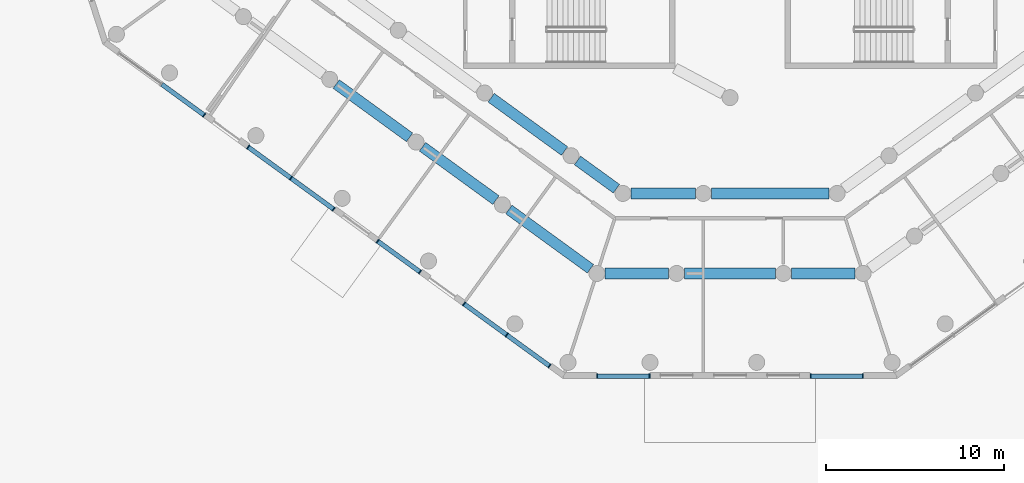
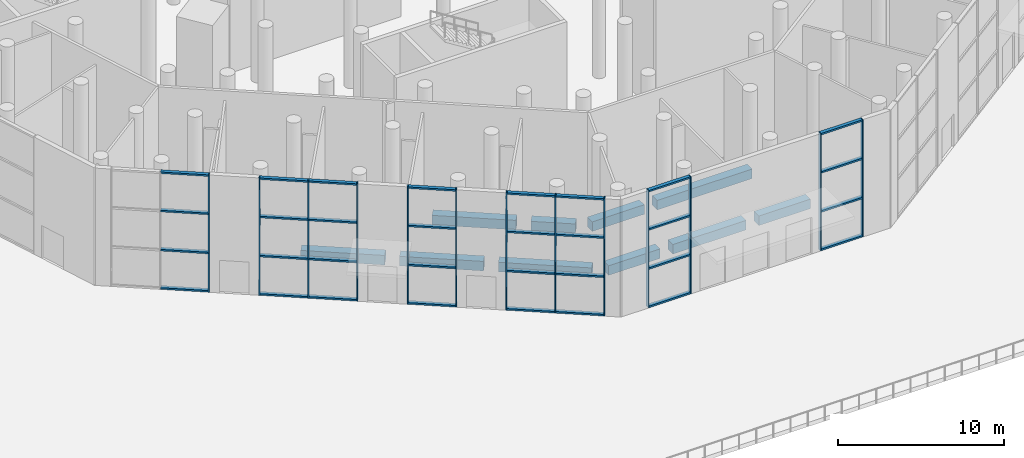
# One storey, part 2 of 25: 45 members, 10 beams, 6 elements without a shape of their own.
"""IFC4 building model written with IfcOpenShell, lengths in metres."""

from ifc_helpers import new_model, si_unit, direction, frame, origin, origin_2d, place, context, subcontext, project, spatial, rectangle, extrude, material, material_profile, profile_set, type_object, element, aggregate, save


model = new_model("IFC4")

# Units and contexts
model_context = context("Model", 3, precision=1e-05, world=origin(), true_north=direction((0.0, 1.0)))
body_context = subcontext(model_context, "Body", "Model", "MODEL_VIEW")
ifc_project = project(units=[si_unit("LENGTHUNIT", "METRE"), si_unit("AREAUNIT", "SQUARE_METRE"), si_unit("VOLUMEUNIT", "CUBIC_METRE"), si_unit("PLANEANGLEUNIT", "RADIAN"), si_unit("MASSUNIT", "GRAM", prefix="KILO")], contexts=[model_context])

# Site, building, storey
site_placement = place(None, origin())
site = spatial("IfcSite", under=ifc_project, at=site_placement, CompositionType="ELEMENT")
building_placement = place(site_placement, origin())
building = spatial("IfcBuilding", under=site, at=building_placement, Name="White Candle Pilgrim Tower", CompositionType="ELEMENT")
storey_placement = place(building_placement, origin())
storey = spatial("IfcBuildingStorey", under=building, at=storey_placement, Name="L00", CompositionType="ELEMENT", Elevation=0.0)

# Curtain wall, member
ifc_material_1 = material(Name="Aluminium and glass", Category="aluminium")
curtain_wall_type = type_object("IfcCurtainWallType", Name="Curtain wall CW1 hall glazing", PredefinedType="NOTDEFINED", material=ifc_material_1)
curtain_wall_1_placement = place(storey_placement, origin())
curtain_wall_1 = element("IfcCurtainWall", 1, at=curtain_wall_1_placement, inside=storey, type_object=curtain_wall_type, Name="Curtain wall CW1 L00 SW", PredefinedType="NOTDEFINED")
ifc_material_2 = material(Name="Aluminium", Category="aluminium")
ifc_material_profile_1 = material_profile(ifc_material_2, rectangle(XDim=0.25, YDim=0.06005859375, at=origin_2d()), Name="CW1 mullion 60x250")
ifc_profile_set_1 = profile_set([ifc_material_profile_1], Name="Aluminium")
member_type_1 = type_object("IfcMemberType", Name="CW1 mullion 60x250", PredefinedType="MULLION", material=ifc_profile_set_1)
member_1_placement = place(storey_placement, frame((40.43212890625, 38.666259765625, 0.0), z_axis=(0.0, 0.0, 1.0), x_axis=(0.587785256867, 0.809016991051, 0.0)))
member_1 = element("IfcMember", 2, at=member_1_placement, type_object=member_type_1, Name="CW1 mullion 3", PredefinedType="MULLION", context=body_context, shape_type="SweptSolid", body=[
    extrude(rectangle(XDim=0.25, YDim=0.06005859375, at=origin_2d()), origin(), (0.0, 0.0, 1.0), 8.64990234375),
])

# Curtain wall, members
curtain_wall_2_placement = place(storey_placement, origin())
curtain_wall_2 = element("IfcCurtainWall", 3, at=curtain_wall_2_placement, inside=storey, type_object=curtain_wall_type, Name="Curtain wall CW1 L00 SW", PredefinedType="NOTDEFINED")
member_2_placement = place(storey_placement, frame((42.90771484375, 36.86767578125, 0.0), z_axis=(0.0, 0.0, 1.0), x_axis=(0.587785256797, 0.809016991102, 0.0)))
member_2 = element("IfcMember", 4, at=member_2_placement, type_object=member_type_1, Name="CW1 mullion 1", PredefinedType="MULLION", context=body_context, shape_type="SweptSolid", body=[
    extrude(rectangle(XDim=0.25, YDim=0.06005859375, at=origin_2d()), origin(), (0.0, 0.0, 1.0), 8.64990234375),
])
member_3_placement = place(storey_placement, frame((45.310546875, 35.121826171875, 0.0), z_axis=(0.0, 0.0, 1.0), x_axis=(0.587785256797, 0.809016991102, 0.0)))
member_3 = element("IfcMember", 5, at=member_3_placement, type_object=member_type_1, Name="CW1 mullion 2", PredefinedType="MULLION", context=body_context, shape_type="SweptSolid", body=[
    extrude(rectangle(XDim=0.25, YDim=0.06005859375, at=origin_2d()), origin(), (0.0, 0.0, 1.0), 8.64990234375),
])
member_4_placement = place(storey_placement, frame((47.71337890625, 33.376220703125, 0.0), z_axis=(0.0, 0.0, 1.0), x_axis=(0.587785256797, 0.809016991102, 0.0)))
member_4 = element("IfcMember", 6, at=member_4_placement, type_object=member_type_1, Name="CW1 mullion 3", PredefinedType="MULLION", context=body_context, shape_type="SweptSolid", body=[
    extrude(rectangle(XDim=0.25, YDim=0.06005859375, at=origin_2d()), origin(), (0.0, 0.0, 1.0), 8.64990234375),
])

curtain_wall_3_placement = place(storey_placement, origin())
curtain_wall_3 = element("IfcCurtainWall", 7, at=curtain_wall_3_placement, inside=storey, type_object=curtain_wall_type, Name="Curtain wall CW1 L00 SW", PredefinedType="NOTDEFINED")
member_5_placement = place(storey_placement, frame((50.18896484375, 31.577392578125, 0.0), z_axis=(0.0, 0.0, 1.0), x_axis=(0.58778525698, 0.809016990969, 0.0)))
member_5 = element("IfcMember", 8, at=member_5_placement, type_object=member_type_1, Name="CW1 mullion 1", PredefinedType="MULLION", context=body_context, shape_type="SweptSolid", body=[
    extrude(rectangle(XDim=0.25, YDim=0.06005859375, at=origin_2d()), origin(), (0.0, 0.0, 1.0), 8.64990234375),
])
member_6_placement = place(storey_placement, frame((52.5673828125, 29.849365234375, 0.0), z_axis=(0.0, 0.0, 1.0), x_axis=(0.58778525698, 0.809016990969, 0.0)))
member_6 = element("IfcMember", 9, at=member_6_placement, type_object=member_type_1, Name="CW1 mullion 2", PredefinedType="MULLION", context=body_context, shape_type="SweptSolid", body=[
    extrude(rectangle(XDim=0.25, YDim=0.06005859375, at=origin_2d()), origin(), (0.0, 0.0, 1.0), 8.64990234375),
])

curtain_wall_4_placement = place(storey_placement, origin())
curtain_wall_4 = element("IfcCurtainWall", 10, at=curtain_wall_4_placement, inside=storey, type_object=curtain_wall_type, Name="Curtain wall CW1 L00 SW", PredefinedType="NOTDEFINED")
member_7_placement = place(storey_placement, frame((55.04296875, 28.05078125, 0.0), z_axis=(0.0, 0.0, 1.0), x_axis=(0.587785256867, 0.809016991051, 0.0)))
member_7 = element("IfcMember", 11, at=member_7_placement, type_object=member_type_1, Name="CW1 mullion 1", PredefinedType="MULLION", context=body_context, shape_type="SweptSolid", body=[
    extrude(rectangle(XDim=0.25, YDim=0.06005859375, at=origin_2d()), origin(), (0.0, 0.0, 1.0), 8.64990234375),
])
member_8_placement = place(storey_placement, frame((57.44580078125, 26.30517578125, 0.0), z_axis=(0.0, 0.0, 1.0), x_axis=(0.587785256867, 0.809016991051, 0.0)))
member_8 = element("IfcMember", 12, at=member_8_placement, type_object=member_type_1, Name="CW1 mullion 2", PredefinedType="MULLION", context=body_context, shape_type="SweptSolid", body=[
    extrude(rectangle(XDim=0.25, YDim=0.06005859375, at=origin_2d()), origin(), (0.0, 0.0, 1.0), 8.64990234375),
])
member_9_placement = place(storey_placement, frame((59.8486328125, 24.559326171875, 0.0), z_axis=(0.0, 0.0, 1.0), x_axis=(0.587785256867, 0.809016991051, 0.0)))
member_9 = element("IfcMember", 13, at=member_9_placement, type_object=member_type_1, Name="CW1 mullion 3", PredefinedType="MULLION", context=body_context, shape_type="SweptSolid", body=[
    extrude(rectangle(XDim=0.25, YDim=0.06005859375, at=origin_2d()), origin(), (0.0, 0.0, 1.0), 8.64990234375),
])

curtain_wall_5_placement = place(storey_placement, origin())
curtain_wall_5 = element("IfcCurtainWall", 14, at=curtain_wall_5_placement, inside=storey, type_object=curtain_wall_type, Name="Curtain wall CW1 L00 S chamfer", PredefinedType="NOTDEFINED")
member_10_placement = place(storey_placement, frame((62.530029296875, 23.986083984375, 0.0), z_axis=(0.0, 0.0, 1.0), x_axis=(0.0, 1.0, 0.0)))
member_10 = element("IfcMember", 15, at=member_10_placement, type_object=member_type_1, Name="CW1 mullion 1", PredefinedType="MULLION", context=body_context, shape_type="SweptSolid", body=[
    extrude(rectangle(XDim=0.25, YDim=0.06005859375, at=origin_2d()), origin(), (0.0, 0.0, 1.0), 8.64990234375),
])
member_11_placement = place(storey_placement, frame((65.469970703125, 23.986083984375, 0.0), z_axis=(0.0, 0.0, 1.0), x_axis=(0.0, 1.0, 0.0)))
member_11 = element("IfcMember", 16, at=member_11_placement, type_object=member_type_1, Name="CW1 mullion 2", PredefinedType="MULLION", context=body_context, shape_type="SweptSolid", body=[
    extrude(rectangle(XDim=0.25, YDim=0.06005859375, at=origin_2d()), origin(), (0.0, 0.0, 1.0), 8.64990234375),
])

curtain_wall_6_placement = place(storey_placement, origin())
curtain_wall_6 = element("IfcCurtainWall", 17, at=curtain_wall_6_placement, inside=storey, type_object=curtain_wall_type, Name="Curtain wall CW1 L00 S chamfer", PredefinedType="NOTDEFINED")
member_12_placement = place(storey_placement, frame((74.530029296875, 23.986083984375, 0.0), z_axis=(0.0, 0.0, 1.0), x_axis=(0.0, 1.0, 0.0)))
member_12 = element("IfcMember", 18, at=member_12_placement, type_object=member_type_1, Name="CW1 mullion 1", PredefinedType="MULLION", context=body_context, shape_type="SweptSolid", body=[
    extrude(rectangle(XDim=0.25, YDim=0.06005859375, at=origin_2d()), origin(), (0.0, 0.0, 1.0), 8.64990234375),
])
member_13_placement = place(storey_placement, frame((77.469970703125, 23.986083984375, 0.0), z_axis=(0.0, 0.0, 1.0), x_axis=(0.0, 1.0, 0.0)))
member_13 = element("IfcMember", 19, at=member_13_placement, type_object=member_type_1, Name="CW1 mullion 2", PredefinedType="MULLION", context=body_context, shape_type="SweptSolid", body=[
    extrude(rectangle(XDim=0.25, YDim=0.06005859375, at=origin_2d()), origin(), (0.0, 0.0, 1.0), 8.64990234375),
])

# Member
ifc_material_profile_2 = material_profile(ifc_material_2, rectangle(XDim=0.25, YDim=0.1201171875, at=origin_2d()), Name="CW1 transom 120x250")
ifc_profile_set_2 = profile_set([ifc_material_profile_2], Name="Aluminium")
member_type_2 = type_object("IfcMemberType", Name="CW1 transom 120x250", PredefinedType="USERDEFINED", material=ifc_profile_set_2)
member_14_placement = place(storey_placement, frame((38.0537109375, 40.394287109375, 0.06005859375), z_axis=(0.809018973085, -0.587782528822, 0.0), x_axis=(0.587782528822, 0.809018973085, 0.0)))
member_14 = element("IfcMember", 20, at=member_14_placement, type_object=member_type_2, Name="CW1 transom 2.1", ObjectType="TRANSOM", PredefinedType="USERDEFINED", context=body_context, shape_type="SweptSolid", body=[
    extrude(rectangle(XDim=0.25, YDim=0.1201171875, at=origin_2d()), origin(), (0.0, 0.0, 1.0), 2.909912109375),
])

member_15_placement = place(storey_placement, frame((38.0537109375, 40.394287109375, 2.88330078125), z_axis=(0.809018973085, -0.587782528822, 0.0), x_axis=(0.587782528822, 0.809018973085, 0.0)))
member_15 = element("IfcMember", 21, at=member_15_placement, type_object=member_type_2, Name="CW1 transom 2.2", ObjectType="TRANSOM", PredefinedType="USERDEFINED", context=body_context, shape_type="SweptSolid", body=[
    extrude(rectangle(XDim=0.25, YDim=0.1201171875, at=origin_2d()), origin(), (0.0, 0.0, 1.0), 2.909912109375),
])

member_16_placement = place(storey_placement, frame((38.0537109375, 40.394287109375, 5.7666015625), z_axis=(0.809018973085, -0.587782528822, 0.0), x_axis=(0.587782528822, 0.809018973085, 0.0)))
member_16 = element("IfcMember", 22, at=member_16_placement, type_object=member_type_2, Name="CW1 transom 2.3", ObjectType="TRANSOM", PredefinedType="USERDEFINED", context=body_context, shape_type="SweptSolid", body=[
    extrude(rectangle(XDim=0.25, YDim=0.1201171875, at=origin_2d()), origin(), (0.0, 0.0, 1.0), 2.909912109375),
])

member_17_placement = place(storey_placement, frame((38.0537109375, 40.394287109375, 8.590087890625), z_axis=(0.809018973085, -0.587782528822, 0.0), x_axis=(0.587782528822, 0.809018973085, 0.0)))
member_17 = element("IfcMember", 23, at=member_17_placement, type_object=member_type_2, Name="CW1 transom 2.4", ObjectType="TRANSOM", PredefinedType="USERDEFINED", context=body_context, shape_type="SweptSolid", body=[
    extrude(rectangle(XDim=0.25, YDim=0.1201171875, at=origin_2d()), origin(), (0.0, 0.0, 1.0), 2.909912109375),
])

aggregate(curtain_wall_1, [member_1, member_14, member_15, member_16, member_17])

member_18_placement = place(storey_placement, frame((42.93212890625, 36.849853515625, 0.06005859375), z_axis=(0.809018973085, -0.587782528822, 0.0), x_axis=(0.587782528822, 0.809018973085, 0.0)))
member_18 = element("IfcMember", 24, at=member_18_placement, type_object=member_type_2, Name="CW1 transom 1.1", ObjectType="TRANSOM", PredefinedType="USERDEFINED", context=body_context, shape_type="SweptSolid", body=[
    extrude(rectangle(XDim=0.25, YDim=0.1201171875, at=origin_2d()), origin(), (0.0, 0.0, 1.0), 2.909912109375),
])

member_19_placement = place(storey_placement, frame((42.93212890625, 36.849853515625, 2.88330078125), z_axis=(0.809018973085, -0.587782528822, 0.0), x_axis=(0.587782528822, 0.809018973085, 0.0)))
member_19 = element("IfcMember", 25, at=member_19_placement, type_object=member_type_2, Name="CW1 transom 1.2", ObjectType="TRANSOM", PredefinedType="USERDEFINED", context=body_context, shape_type="SweptSolid", body=[
    extrude(rectangle(XDim=0.25, YDim=0.1201171875, at=origin_2d()), origin(), (0.0, 0.0, 1.0), 2.909912109375),
])

member_20_placement = place(storey_placement, frame((42.93212890625, 36.849853515625, 5.7666015625), z_axis=(0.809018973085, -0.587782528822, 0.0), x_axis=(0.587782528822, 0.809018973085, 0.0)))
member_20 = element("IfcMember", 26, at=member_20_placement, type_object=member_type_2, Name="CW1 transom 1.3", ObjectType="TRANSOM", PredefinedType="USERDEFINED", context=body_context, shape_type="SweptSolid", body=[
    extrude(rectangle(XDim=0.25, YDim=0.1201171875, at=origin_2d()), origin(), (0.0, 0.0, 1.0), 2.909912109375),
])

member_21_placement = place(storey_placement, frame((42.93212890625, 36.849853515625, 8.590087890625), z_axis=(0.809018973085, -0.587782528822, 0.0), x_axis=(0.587782528822, 0.809018973085, 0.0)))
member_21 = element("IfcMember", 27, at=member_21_placement, type_object=member_type_2, Name="CW1 transom 1.4", ObjectType="TRANSOM", PredefinedType="USERDEFINED", context=body_context, shape_type="SweptSolid", body=[
    extrude(rectangle(XDim=0.25, YDim=0.1201171875, at=origin_2d()), origin(), (0.0, 0.0, 1.0), 2.909912109375),
])

member_22_placement = place(storey_placement, frame((45.3349609375, 35.104248046875, 0.06005859375), z_axis=(0.809018973085, -0.587782528822, 0.0), x_axis=(0.587782528822, 0.809018973085, 0.0)))
member_22 = element("IfcMember", 28, at=member_22_placement, type_object=member_type_2, Name="CW1 transom 2.1", ObjectType="TRANSOM", PredefinedType="USERDEFINED", context=body_context, shape_type="SweptSolid", body=[
    extrude(rectangle(XDim=0.25, YDim=0.1201171875, at=origin_2d()), origin(), (0.0, 0.0, 1.0), 2.909912109375),
])

member_23_placement = place(storey_placement, frame((45.3349609375, 35.104248046875, 2.88330078125), z_axis=(0.809018973085, -0.587782528822, 0.0), x_axis=(0.587782528822, 0.809018973085, 0.0)))
member_23 = element("IfcMember", 29, at=member_23_placement, type_object=member_type_2, Name="CW1 transom 2.2", ObjectType="TRANSOM", PredefinedType="USERDEFINED", context=body_context, shape_type="SweptSolid", body=[
    extrude(rectangle(XDim=0.25, YDim=0.1201171875, at=origin_2d()), origin(), (0.0, 0.0, 1.0), 2.909912109375),
])

member_24_placement = place(storey_placement, frame((45.3349609375, 35.104248046875, 5.7666015625), z_axis=(0.809018973085, -0.587782528822, 0.0), x_axis=(0.587782528822, 0.809018973085, 0.0)))
member_24 = element("IfcMember", 30, at=member_24_placement, type_object=member_type_2, Name="CW1 transom 2.3", ObjectType="TRANSOM", PredefinedType="USERDEFINED", context=body_context, shape_type="SweptSolid", body=[
    extrude(rectangle(XDim=0.25, YDim=0.1201171875, at=origin_2d()), origin(), (0.0, 0.0, 1.0), 2.909912109375),
])

member_25_placement = place(storey_placement, frame((45.3349609375, 35.104248046875, 8.590087890625), z_axis=(0.809018973085, -0.587782528822, 0.0), x_axis=(0.587782528822, 0.809018973085, 0.0)))
member_25 = element("IfcMember", 31, at=member_25_placement, type_object=member_type_2, Name="CW1 transom 2.4", ObjectType="TRANSOM", PredefinedType="USERDEFINED", context=body_context, shape_type="SweptSolid", body=[
    extrude(rectangle(XDim=0.25, YDim=0.1201171875, at=origin_2d()), origin(), (0.0, 0.0, 1.0), 2.909912109375),
])

aggregate(curtain_wall_2, [member_2, member_3, member_4, member_18, member_19, member_20, member_21, member_22, member_23, member_24, member_25])

member_26_placement = place(storey_placement, frame((50.213134765625, 31.559814453125, 0.06005859375), z_axis=(0.809021907548, -0.58777848983, 0.0), x_axis=(0.58777848983, 0.809021907548, 0.0)))
member_26 = element("IfcMember", 32, at=member_26_placement, type_object=member_type_2, Name="CW1 transom 1.1", ObjectType="TRANSOM", PredefinedType="USERDEFINED", context=body_context, shape_type="SweptSolid", body=[
    extrude(rectangle(XDim=0.25, YDim=0.1201171875, at=origin_2d()), origin(), (0.0, 0.0, 1.0), 2.880126953125),
])

member_27_placement = place(storey_placement, frame((50.213134765625, 31.559814453125, 2.88330078125), z_axis=(0.809021907548, -0.58777848983, 0.0), x_axis=(0.58777848983, 0.809021907548, 0.0)))
member_27 = element("IfcMember", 33, at=member_27_placement, type_object=member_type_2, Name="CW1 transom 1.2", ObjectType="TRANSOM", PredefinedType="USERDEFINED", context=body_context, shape_type="SweptSolid", body=[
    extrude(rectangle(XDim=0.25, YDim=0.1201171875, at=origin_2d()), origin(), (0.0, 0.0, 1.0), 2.880126953125),
])

member_28_placement = place(storey_placement, frame((50.213134765625, 31.559814453125, 5.7666015625), z_axis=(0.809021907548, -0.58777848983, 0.0), x_axis=(0.58777848983, 0.809021907548, 0.0)))
member_28 = element("IfcMember", 34, at=member_28_placement, type_object=member_type_2, Name="CW1 transom 1.3", ObjectType="TRANSOM", PredefinedType="USERDEFINED", context=body_context, shape_type="SweptSolid", body=[
    extrude(rectangle(XDim=0.25, YDim=0.1201171875, at=origin_2d()), origin(), (0.0, 0.0, 1.0), 2.880126953125),
])

member_29_placement = place(storey_placement, frame((50.213134765625, 31.559814453125, 8.590087890625), z_axis=(0.809021907548, -0.58777848983, 0.0), x_axis=(0.58777848983, 0.809021907548, 0.0)))
member_29 = element("IfcMember", 35, at=member_29_placement, type_object=member_type_2, Name="CW1 transom 1.4", ObjectType="TRANSOM", PredefinedType="USERDEFINED", context=body_context, shape_type="SweptSolid", body=[
    extrude(rectangle(XDim=0.25, YDim=0.1201171875, at=origin_2d()), origin(), (0.0, 0.0, 1.0), 2.880126953125),
])

aggregate(curtain_wall_3, [member_5, member_6, member_26, member_27, member_28, member_29])

member_30_placement = place(storey_placement, frame((55.0673828125, 28.033203125, 0.06005859375), z_axis=(0.809018973085, -0.587782528822, 0.0), x_axis=(0.587782528822, 0.809018973085, 0.0)))
member_30 = element("IfcMember", 36, at=member_30_placement, type_object=member_type_2, Name="CW1 transom 1.1", ObjectType="TRANSOM", PredefinedType="USERDEFINED", context=body_context, shape_type="SweptSolid", body=[
    extrude(rectangle(XDim=0.25, YDim=0.1201171875, at=origin_2d()), origin(), (0.0, 0.0, 1.0), 2.909912109375),
])

member_31_placement = place(storey_placement, frame((55.0673828125, 28.033203125, 2.88330078125), z_axis=(0.809018973085, -0.587782528822, 0.0), x_axis=(0.587782528822, 0.809018973085, 0.0)))
member_31 = element("IfcMember", 37, at=member_31_placement, type_object=member_type_2, Name="CW1 transom 1.2", ObjectType="TRANSOM", PredefinedType="USERDEFINED", context=body_context, shape_type="SweptSolid", body=[
    extrude(rectangle(XDim=0.25, YDim=0.1201171875, at=origin_2d()), origin(), (0.0, 0.0, 1.0), 2.909912109375),
])

member_32_placement = place(storey_placement, frame((55.0673828125, 28.033203125, 5.7666015625), z_axis=(0.809018973085, -0.587782528822, 0.0), x_axis=(0.587782528822, 0.809018973085, 0.0)))
member_32 = element("IfcMember", 38, at=member_32_placement, type_object=member_type_2, Name="CW1 transom 1.3", ObjectType="TRANSOM", PredefinedType="USERDEFINED", context=body_context, shape_type="SweptSolid", body=[
    extrude(rectangle(XDim=0.25, YDim=0.1201171875, at=origin_2d()), origin(), (0.0, 0.0, 1.0), 2.909912109375),
])

member_33_placement = place(storey_placement, frame((55.0673828125, 28.033203125, 8.590087890625), z_axis=(0.809018973085, -0.587782528822, 0.0), x_axis=(0.587782528822, 0.809018973085, 0.0)))
member_33 = element("IfcMember", 39, at=member_33_placement, type_object=member_type_2, Name="CW1 transom 1.4", ObjectType="TRANSOM", PredefinedType="USERDEFINED", context=body_context, shape_type="SweptSolid", body=[
    extrude(rectangle(XDim=0.25, YDim=0.1201171875, at=origin_2d()), origin(), (0.0, 0.0, 1.0), 2.909912109375),
])

member_34_placement = place(storey_placement, frame((57.47021484375, 26.287353515625, 0.06005859375), z_axis=(0.809018973085, -0.587782528822, 0.0), x_axis=(0.587782528822, 0.809018973085, 0.0)))
member_34 = element("IfcMember", 40, at=member_34_placement, type_object=member_type_2, Name="CW1 transom 2.1", ObjectType="TRANSOM", PredefinedType="USERDEFINED", context=body_context, shape_type="SweptSolid", body=[
    extrude(rectangle(XDim=0.25, YDim=0.1201171875, at=origin_2d()), origin(), (0.0, 0.0, 1.0), 2.909912109375),
])

member_35_placement = place(storey_placement, frame((57.47021484375, 26.287353515625, 2.88330078125), z_axis=(0.809018973085, -0.587782528822, 0.0), x_axis=(0.587782528822, 0.809018973085, 0.0)))
member_35 = element("IfcMember", 41, at=member_35_placement, type_object=member_type_2, Name="CW1 transom 2.2", ObjectType="TRANSOM", PredefinedType="USERDEFINED", context=body_context, shape_type="SweptSolid", body=[
    extrude(rectangle(XDim=0.25, YDim=0.1201171875, at=origin_2d()), origin(), (0.0, 0.0, 1.0), 2.909912109375),
])

member_36_placement = place(storey_placement, frame((57.47021484375, 26.287353515625, 5.7666015625), z_axis=(0.809018973085, -0.587782528822, 0.0), x_axis=(0.587782528822, 0.809018973085, 0.0)))
member_36 = element("IfcMember", 42, at=member_36_placement, type_object=member_type_2, Name="CW1 transom 2.3", ObjectType="TRANSOM", PredefinedType="USERDEFINED", context=body_context, shape_type="SweptSolid", body=[
    extrude(rectangle(XDim=0.25, YDim=0.1201171875, at=origin_2d()), origin(), (0.0, 0.0, 1.0), 2.909912109375),
])

member_37_placement = place(storey_placement, frame((57.47021484375, 26.287353515625, 8.590087890625), z_axis=(0.809018973085, -0.587782528822, 0.0), x_axis=(0.587782528822, 0.809018973085, 0.0)))
member_37 = element("IfcMember", 43, at=member_37_placement, type_object=member_type_2, Name="CW1 transom 2.4", ObjectType="TRANSOM", PredefinedType="USERDEFINED", context=body_context, shape_type="SweptSolid", body=[
    extrude(rectangle(XDim=0.25, YDim=0.1201171875, at=origin_2d()), origin(), (0.0, 0.0, 1.0), 2.909912109375),
])

aggregate(curtain_wall_4, [member_7, member_8, member_9, member_30, member_31, member_32, member_33, member_34, member_35, member_36, member_37])

member_38_placement = place(storey_placement, frame((62.56005859375, 23.986083984375, 0.06005859375), z_axis=(1.0, 0.0, 0.0), x_axis=(0.0, 1.0, 0.0)))
member_38 = element("IfcMember", 44, at=member_38_placement, type_object=member_type_2, Name="CW1 transom 1.1", ObjectType="TRANSOM", PredefinedType="USERDEFINED", context=body_context, shape_type="SweptSolid", body=[
    extrude(rectangle(XDim=0.25, YDim=0.1201171875, at=origin_2d()), origin(), (0.0, 0.0, 1.0), 2.8798828125),
])

member_39_placement = place(storey_placement, frame((62.56005859375, 23.986083984375, 2.88330078125), z_axis=(1.0, 0.0, 0.0), x_axis=(0.0, 1.0, 0.0)))
member_39 = element("IfcMember", 45, at=member_39_placement, type_object=member_type_2, Name="CW1 transom 1.2", ObjectType="TRANSOM", PredefinedType="USERDEFINED", context=body_context, shape_type="SweptSolid", body=[
    extrude(rectangle(XDim=0.25, YDim=0.1201171875, at=origin_2d()), origin(), (0.0, 0.0, 1.0), 2.8798828125),
])

member_40_placement = place(storey_placement, frame((62.56005859375, 23.986083984375, 5.7666015625), z_axis=(1.0, 0.0, 0.0), x_axis=(0.0, 1.0, 0.0)))
member_40 = element("IfcMember", 46, at=member_40_placement, type_object=member_type_2, Name="CW1 transom 1.3", ObjectType="TRANSOM", PredefinedType="USERDEFINED", context=body_context, shape_type="SweptSolid", body=[
    extrude(rectangle(XDim=0.25, YDim=0.1201171875, at=origin_2d()), origin(), (0.0, 0.0, 1.0), 2.8798828125),
])

member_41_placement = place(storey_placement, frame((62.56005859375, 23.986083984375, 8.590087890625), z_axis=(1.0, 0.0, 0.0), x_axis=(0.0, 1.0, 0.0)))
member_41 = element("IfcMember", 47, at=member_41_placement, type_object=member_type_2, Name="CW1 transom 1.4", ObjectType="TRANSOM", PredefinedType="USERDEFINED", context=body_context, shape_type="SweptSolid", body=[
    extrude(rectangle(XDim=0.25, YDim=0.1201171875, at=origin_2d()), origin(), (0.0, 0.0, 1.0), 2.8798828125),
])

aggregate(curtain_wall_5, [member_10, member_11, member_38, member_39, member_40, member_41])

member_42_placement = place(storey_placement, frame((74.56005859375, 23.986083984375, 0.06005859375), z_axis=(1.0, 0.0, 0.0), x_axis=(0.0, 1.0, 0.0)))
member_42 = element("IfcMember", 48, at=member_42_placement, type_object=member_type_2, Name="CW1 transom 1.1", ObjectType="TRANSOM", PredefinedType="USERDEFINED", context=body_context, shape_type="SweptSolid", body=[
    extrude(rectangle(XDim=0.25, YDim=0.1201171875, at=origin_2d()), origin(), (0.0, 0.0, 1.0), 2.8798828125),
])

member_43_placement = place(storey_placement, frame((74.56005859375, 23.986083984375, 2.88330078125), z_axis=(1.0, 0.0, 0.0), x_axis=(0.0, 1.0, 0.0)))
member_43 = element("IfcMember", 49, at=member_43_placement, type_object=member_type_2, Name="CW1 transom 1.2", ObjectType="TRANSOM", PredefinedType="USERDEFINED", context=body_context, shape_type="SweptSolid", body=[
    extrude(rectangle(XDim=0.25, YDim=0.1201171875, at=origin_2d()), origin(), (0.0, 0.0, 1.0), 2.8798828125),
])

member_44_placement = place(storey_placement, frame((74.56005859375, 23.986083984375, 5.7666015625), z_axis=(1.0, 0.0, 0.0), x_axis=(0.0, 1.0, 0.0)))
member_44 = element("IfcMember", 50, at=member_44_placement, type_object=member_type_2, Name="CW1 transom 1.3", ObjectType="TRANSOM", PredefinedType="USERDEFINED", context=body_context, shape_type="SweptSolid", body=[
    extrude(rectangle(XDim=0.25, YDim=0.1201171875, at=origin_2d()), origin(), (0.0, 0.0, 1.0), 2.8798828125),
])

member_45_placement = place(storey_placement, frame((74.56005859375, 23.986083984375, 8.590087890625), z_axis=(1.0, 0.0, 0.0), x_axis=(0.0, 1.0, 0.0)))
member_45 = element("IfcMember", 51, at=member_45_placement, type_object=member_type_2, Name="CW1 transom 1.4", ObjectType="TRANSOM", PredefinedType="USERDEFINED", context=body_context, shape_type="SweptSolid", body=[
    extrude(rectangle(XDim=0.25, YDim=0.1201171875, at=origin_2d()), origin(), (0.0, 0.0, 1.0), 2.8798828125),
])

aggregate(curtain_wall_6, [member_12, member_13, member_42, member_43, member_44, member_45])

# Beams
ifc_material_3 = material(Name="Concrete C50/60", Category="concrete")
ifc_material_profile_3 = material_profile(ifc_material_3, rectangle(XDim=0.60009765625, YDim=0.699951171875, at=origin_2d()), Name="RC-BM 600x700")
ifc_profile_set_3 = profile_set([ifc_material_profile_3], Name="Concrete C50/60")
beam_type = type_object("IfcBeamType", Name="Spandrel beam RC-BM 600x700 C50/60", PredefinedType="BEAM", material=ifc_profile_set_3)
beam_1_placement = place(storey_placement, frame((47.85595703125, 40.41162109375, -0.800048828125), z_axis=(0.808978190317, -0.587838657789, 0.0), x_axis=(0.587838657789, 0.808978190317, 0.0)))
element("IfcBeam", 52, at=beam_1_placement, inside=storey, type_object=beam_type, Name="L00 spandrel beam B05", PredefinedType="BEAM", context=body_context, shape_type="SweptSolid", body=[
    extrude(rectangle(XDim=0.60009765625, YDim=0.699951171875, at=origin_2d()), origin(), (0.0, 0.0, 1.0), 5.1005859375),
])
beam_2_placement = place(storey_placement, frame((52.7099609375, 36.884521484375, -0.800048828125), z_axis=(0.80900095282, -0.587807330965, 0.0), x_axis=(0.587807330965, 0.80900095282, 0.0)))
element("IfcBeam", 53, at=beam_2_placement, inside=storey, type_object=beam_type, Name="L00 spandrel beam B06", PredefinedType="BEAM", context=body_context, shape_type="SweptSolid", body=[
    extrude(rectangle(XDim=0.60009765625, YDim=0.699951171875, at=origin_2d()), origin(), (0.0, 0.0, 1.0), 5.100341796875),
])
beam_3_placement = place(storey_placement, frame((57.56396484375, 33.357666015625, -0.800048828125), z_axis=(0.808998591139, -0.587810581339, 0.0), x_axis=(0.587810581339, 0.808998591139, 0.0)))
element("IfcBeam", 54, at=beam_3_placement, inside=storey, type_object=beam_type, Name="L00 spandrel beam B07", PredefinedType="BEAM", context=body_context, shape_type="SweptSolid", body=[
    extrude(rectangle(XDim=0.60009765625, YDim=0.699951171875, at=origin_2d()), origin(), (0.0, 0.0, 1.0), 5.6689453125),
])
beam_4_placement = place(storey_placement, frame((62.964111328125, 29.760986328125, -0.800048828125), z_axis=(1.0, 0.0, 0.0), x_axis=(0.0, 1.0, 0.0)))
element("IfcBeam", 55, at=beam_4_placement, inside=storey, type_object=beam_type, Name="L00 spandrel beam B08", PredefinedType="BEAM", context=body_context, shape_type="SweptSolid", body=[
    extrude(rectangle(XDim=0.60009765625, YDim=0.699951171875, at=origin_2d()), origin(), (0.0, 0.0, 1.0), 3.5859375),
])
beam_5_placement = place(storey_placement, frame((67.449951171875, 29.760986328125, -0.800048828125), z_axis=(1.0, 0.0, 0.0), x_axis=(0.0, 1.0, 0.0)))
element("IfcBeam", 56, at=beam_5_placement, inside=storey, type_object=beam_type, Name="L00 spandrel beam B09", PredefinedType="BEAM", context=body_context, shape_type="SweptSolid", body=[
    extrude(rectangle(XDim=0.60009765625, YDim=0.699951171875, at=origin_2d()), origin(), (0.0, 0.0, 1.0), 5.10009765625),
])
beam_6_placement = place(storey_placement, frame((73.449951171875, 29.760986328125, -0.800048828125), z_axis=(1.0, 0.0, 0.0), x_axis=(0.0, 1.0, 0.0)))
element("IfcBeam", 57, at=beam_6_placement, inside=storey, type_object=beam_type, Name="L00 spandrel beam B10", PredefinedType="BEAM", context=body_context, shape_type="SweptSolid", body=[
    extrude(rectangle(XDim=0.60009765625, YDim=0.699951171875, at=origin_2d()), origin(), (0.0, 0.0, 1.0), 3.5859375),
])
beam_7_placement = place(storey_placement, frame((56.56787109375, 39.6435546875, -0.800048828125), z_axis=(0.80900095282, -0.587807330965, 0.0), x_axis=(0.587807330965, 0.80900095282, 0.0)))
element("IfcBeam", 58, at=beam_7_placement, inside=storey, type_object=beam_type, Name="L00 spandrel beam C05", PredefinedType="BEAM", context=body_context, shape_type="SweptSolid", body=[
    extrude(rectangle(XDim=0.60009765625, YDim=0.699951171875, at=origin_2d()), origin(), (0.0, 0.0, 1.0), 5.100341796875),
])
beam_8_placement = place(storey_placement, frame((61.421875, 36.11669921875, -0.800048828125), z_axis=(0.809008975915, -0.587796288598, 0.0), x_axis=(0.587796288598, 0.809008975915, 0.0)))
element("IfcBeam", 59, at=beam_8_placement, inside=storey, type_object=beam_type, Name="L00 spandrel beam C06", PredefinedType="BEAM", context=body_context, shape_type="SweptSolid", body=[
    extrude(rectangle(XDim=0.60009765625, YDim=0.699951171875, at=origin_2d()), origin(), (0.0, 0.0, 1.0), 2.707275390625),
])
beam_9_placement = place(storey_placement, frame((64.426025390625, 34.260986328125, -0.800048828125), z_axis=(1.0, 0.0, 0.0), x_axis=(0.0, 1.0, 0.0)))
element("IfcBeam", 60, at=beam_9_placement, inside=storey, type_object=beam_type, Name="L00 spandrel beam C07", PredefinedType="BEAM", context=body_context, shape_type="SweptSolid", body=[
    extrude(rectangle(XDim=0.60009765625, YDim=0.699951171875, at=origin_2d()), origin(), (0.0, 0.0, 1.0), 3.6240234375),
])
beam_10_placement = place(storey_placement, frame((68.949951171875, 34.260986328125, -0.800048828125), z_axis=(1.0, 0.0, 0.0), x_axis=(0.0, 1.0, 0.0)))
element("IfcBeam", 61, at=beam_10_placement, inside=storey, type_object=beam_type, Name="L00 spandrel beam C08", PredefinedType="BEAM", context=body_context, shape_type="SweptSolid", body=[
    extrude(rectangle(XDim=0.60009765625, YDim=0.699951171875, at=origin_2d()), origin(), (0.0, 0.0, 1.0), 6.6240234375),
])

save(model, "model.ifc")
